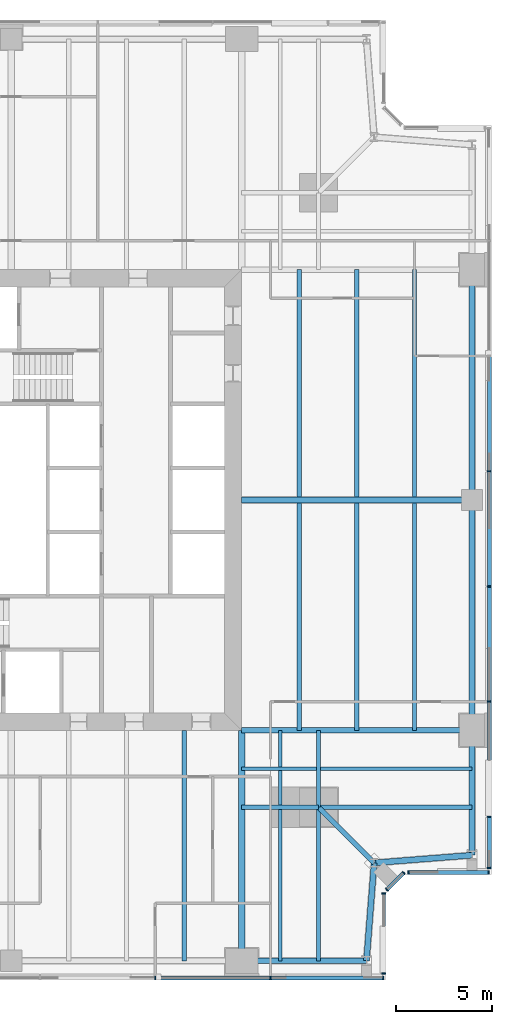
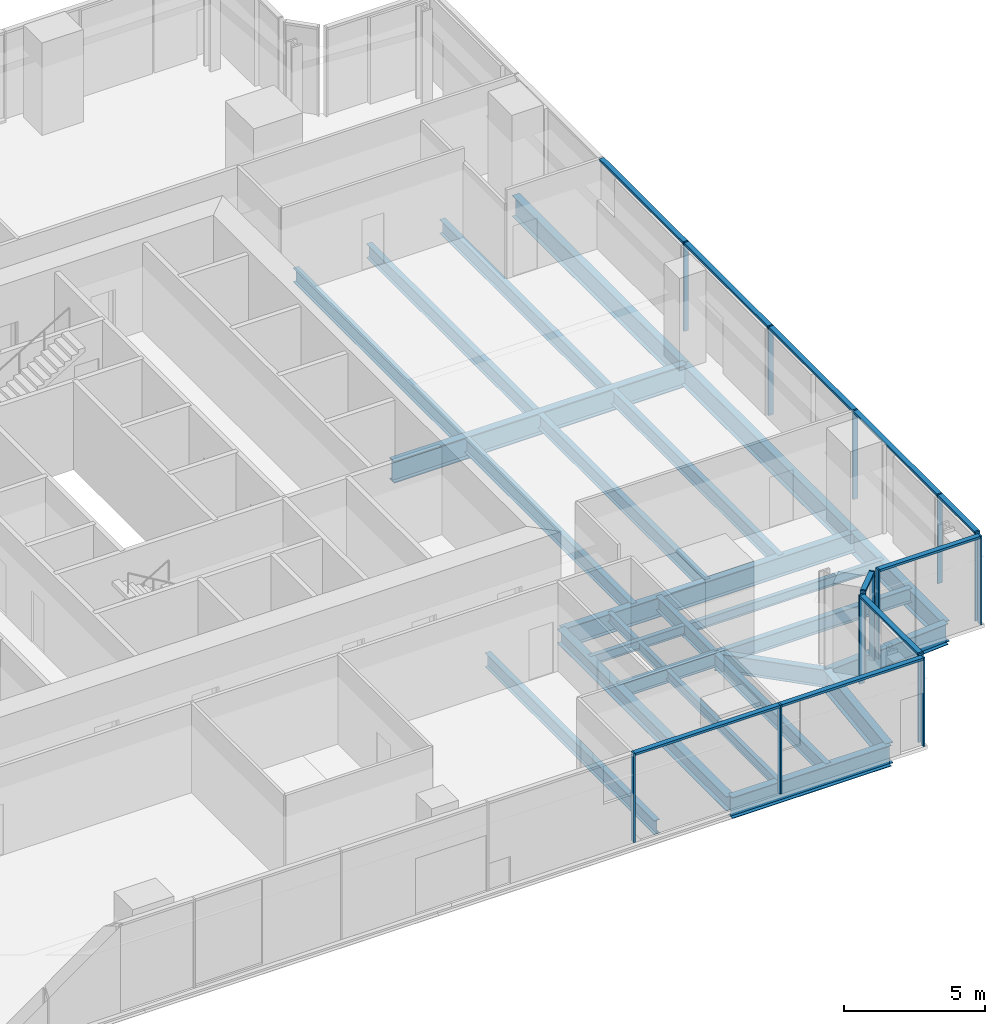
# One storey, part 5 of 15: 26 beams, 24 members, 5 elements without a shape of their own.
"""IFC4 building model written with IfcOpenShell, lengths in metres."""

from ifc_helpers import new_model, si_unit, direction, frame, origin, origin_2d, place, context, subcontext, project, spatial, rectangle, i_section, extrude, material, material_profile, profile_set, type_object, element, aggregate, save


model = new_model("IFC4")

# Units and contexts
model_context = context("Model", 3, precision=1e-05, world=origin(), true_north=direction((0.0, 1.0)))
body_context = subcontext(model_context, "Body", "Model", "MODEL_VIEW")
ifc_project = project(units=[si_unit("LENGTHUNIT", "METRE"), si_unit("AREAUNIT", "SQUARE_METRE"), si_unit("VOLUMEUNIT", "CUBIC_METRE"), si_unit("PLANEANGLEUNIT", "RADIAN"), si_unit("MASSUNIT", "GRAM", prefix="KILO")], contexts=[model_context])

# Site, building, storey
site_placement = place(None, origin())
site = spatial("IfcSite", under=ifc_project, at=site_placement, CompositionType="ELEMENT")
building_placement = place(site_placement, origin())
building = spatial("IfcBuilding", under=site, at=building_placement, Name="Fenwick Lantern Interchange", CompositionType="ELEMENT")
storey_placement = place(building_placement, frame((0.0, 0.0, 209.800048828125)))
storey = spatial("IfcBuildingStorey", under=building, at=storey_placement, Name="L49", CompositionType="ELEMENT", Elevation=209.800048828125)

# Beams
ifc_material_1 = material(Name="Steel ASTM A992 Grade 50", Category="steel")
ifc_material_profile_1 = material_profile(ifc_material_1, i_section(OverallWidth=0.3046875, OverallDepth=0.911865234375, WebThickness=0.015869140625, FlangeThickness=0.02392578125, at=origin_2d()), Name="W36X150")
ifc_profile_set_1 = profile_set([ifc_material_profile_1], Name="Steel ASTM A992 Grade 50")
beam_type_1 = type_object("IfcBeamType", Name="EDGE BEAM W36X150", PredefinedType="SPANDREL", material=ifc_profile_set_1)
beam_1_placement = place(storey_placement, frame((37.0, 1.0, -0.60595703125), z_axis=(1.0, 0.0, 0.0), x_axis=(0.0, 1.0, 0.0)))
element("IfcBeam", 1, at=beam_1_placement, inside=storey, type_object=beam_type_1, Name="L49/FR/S/EB4", PredefinedType="SPANDREL", context=body_context, shape_type="SweptSolid", body=[
    extrude(i_section(OverallWidth=0.3046875, OverallDepth=0.911865234375, WebThickness=0.015869140625, FlangeThickness=0.02392578125, at=origin_2d()), origin(), (0.0, 0.0, 1.0), 6.5),
])
for number, where, z_axis, x_axis, name in (
    (2, (43.5, 1.0, -0.60595703125), (0.078170784639, 0.99693998236, 0.0), (-0.99693998236, 0.078170784639, 0.0), "L49/FR/S/EBR1"),
    (3, (43.89990234375, 6.10009765625, -0.60595703125), (0.99693998236, 0.078170784639, 0.0), (-0.078170784639, 0.99693998236, 0.0), "L49/FR/S/EBR2"),
):
    element("IfcBeam", number, at=place(storey_placement, frame(where, z_axis=z_axis, x_axis=x_axis)), inside=storey, type_object=beam_type_1, Name=name, PredefinedType="SPANDREL", context=body_context, shape_type="SweptSolid", body=[
        extrude(i_section(OverallWidth=0.3046875, OverallDepth=0.911865234375, WebThickness=0.015869140625, FlangeThickness=0.02392578125, at=origin_2d()), origin(), (0.0, 0.0, 1.0), 5.11572265625),
    ])
beam_2_placement = place(storey_placement, frame((49.0, 6.5, -0.60595703125), z_axis=(0.0, 1.0, 0.0), x_axis=(-1.0, 0.0, 0.0)))
element("IfcBeam", 4, at=beam_2_placement, inside=storey, type_object=beam_type_1, Name="L49/FR/E/EB1", PredefinedType="SPANDREL", context=body_context, shape_type="SweptSolid", body=[
    extrude(i_section(OverallWidth=0.3046875, OverallDepth=0.911865234375, WebThickness=0.015869140625, FlangeThickness=0.02392578125, at=origin_2d()), origin(), (0.0, 0.0, 1.0), 6.5),
])
for number, where, z_axis, x_axis, name in (
    (5, (49.0, 13.0, -0.60595703125), (0.0, 1.0, 0.0), (-1.0, 0.0, 0.0), "L49/FR/E/EB2"),
    (6, (49.0, 25.0, -0.60595703125), (0.0, 1.0, 0.0), (-1.0, 0.0, 0.0), "L49/FR/E/EB3"),
):
    element("IfcBeam", number, at=place(storey_placement, frame(where, z_axis=z_axis, x_axis=x_axis)), inside=storey, type_object=beam_type_1, Name=name, PredefinedType="SPANDREL", context=body_context, shape_type="SweptSolid", body=[
        extrude(i_section(OverallWidth=0.3046875, OverallDepth=0.911865234375, WebThickness=0.015869140625, FlangeThickness=0.02392578125, at=origin_2d()), origin(), (0.0, 0.0, 1.0), 12.0),
    ])
ifc_material_profile_2 = material_profile(ifc_material_1, i_section(OverallWidth=0.22900390625, OverallDepth=0.612060546875, WebThickness=0.011962890625, FlangeThickness=0.01953125, at=origin_2d()), Name="W24X84")
ifc_profile_set_2 = profile_set([ifc_material_profile_2], Name="Steel ASTM A992 Grade 50")
beam_type_2 = type_object("IfcBeamType", Name="FLOOR BEAM W24X84", PredefinedType="BEAM", material=ifc_profile_set_2)
beam_3_placement = place(storey_placement, frame((34.0, 1.0, -0.4560546875), z_axis=(0.0, 1.0, 0.0), x_axis=(-1.0, 0.0, 0.0)))
element("IfcBeam", 7, at=beam_3_placement, inside=storey, type_object=beam_type_2, Name="L49/FR/S/R08", PredefinedType="BEAM", context=body_context, shape_type="SweptSolid", body=[
    extrude(i_section(OverallWidth=0.22900390625, OverallDepth=0.612060546875, WebThickness=0.011962890625, FlangeThickness=0.01953125, at=origin_2d()), origin(), (0.0, 0.0, 1.0), 12.0),
])
for number, where, z_axis, x_axis, name in (
    (8, (46.0, 13.0, -0.4560546875), (0.0, 1.0, 0.0), (-1.0, 0.0, 0.0), "L49/FR/E/B01"),
    (9, (43.0, 13.0, -0.4560546875), (0.0, 1.0, 0.0), (-1.0, 0.0, 0.0), "L49/FR/E/B02"),
    (10, (40.0, 13.0, -0.4560546875), (0.0, 1.0, 0.0), (-1.0, 0.0, 0.0), "L49/FR/E/B03"),
    (11, (46.0, 25.155029296875, -0.4560546875), (0.0, 1.0, 0.0), (-1.0, 0.0, 0.0), "L49/FR/E/B04"),
    (12, (43.0, 25.155029296875, -0.4560546875), (0.0, 1.0, 0.0), (-1.0, 0.0, 0.0), "L49/FR/E/B05"),
    (13, (40.0, 25.155029296875, -0.4560546875), (0.0, 1.0, 0.0), (-1.0, 0.0, 0.0), "L49/FR/E/B06"),
):
    element("IfcBeam", number, at=place(storey_placement, frame(where, z_axis=z_axis, x_axis=x_axis)), inside=storey, type_object=beam_type_2, Name=name, PredefinedType="BEAM", context=body_context, shape_type="SweptSolid", body=[
        extrude(i_section(OverallWidth=0.22900390625, OverallDepth=0.612060546875, WebThickness=0.011962890625, FlangeThickness=0.01953125, at=origin_2d()), origin(), (0.0, 0.0, 1.0), 11.844970703125),
    ])
ifc_material_profile_3 = material_profile(ifc_material_1, i_section(OverallWidth=0.177734375, OverallDepth=0.406494140625, WebThickness=0.0078125, FlangeThickness=0.012939453125, at=origin_2d()), Name="W16X40")
ifc_profile_set_3 = profile_set([ifc_material_profile_3], Name="Steel ASTM A992 Grade 50")
beam_type_3 = type_object("IfcBeamType", Name="INFILL BEAM W16X40", PredefinedType="JOIST", material=ifc_profile_set_3)
beam_4_placement = place(storey_placement, frame((49.0, 11.0, -0.353271484375), z_axis=(-1.0, 0.0, 0.0), x_axis=(0.0, -1.0, 0.0)))
element("IfcBeam", 14, at=beam_4_placement, inside=storey, type_object=beam_type_3, Name="L49/FR/E/J1", PredefinedType="JOIST", context=body_context, shape_type="SweptSolid", body=[
    extrude(i_section(OverallWidth=0.177734375, OverallDepth=0.406494140625, WebThickness=0.0078125, FlangeThickness=0.012939453125, at=origin_2d()), origin(), (0.0, 0.0, 1.0), 7.885498046875),
])
beam_5_placement = place(storey_placement, frame((40.885498046875, 11.0, -0.353271484375), z_axis=(-1.0, 0.0, 0.0), x_axis=(0.0, -1.0, 0.0)))
element("IfcBeam", 15, at=beam_5_placement, inside=storey, type_object=beam_type_3, Name="L49/FR/E/J2", PredefinedType="JOIST", context=body_context, shape_type="SweptSolid", body=[
    extrude(i_section(OverallWidth=0.177734375, OverallDepth=0.406494140625, WebThickness=0.0078125, FlangeThickness=0.012939453125, at=origin_2d()), origin(), (0.0, 0.0, 1.0), 3.885498046875),
])
beam_6_placement = place(storey_placement, frame((39.0, 1.0, -0.353271484375), z_axis=(0.0, 1.0, 0.0), x_axis=(-1.0, 0.0, 0.0)))
element("IfcBeam", 16, at=beam_6_placement, inside=storey, type_object=beam_type_3, Name="L49/FR/E/J3", PredefinedType="JOIST", context=body_context, shape_type="SweptSolid", body=[
    extrude(i_section(OverallWidth=0.177734375, OverallDepth=0.406494140625, WebThickness=0.0078125, FlangeThickness=0.012939453125, at=origin_2d()), origin(), (0.0, 0.0, 1.0), 7.885498046875),
])
beam_7_placement = place(storey_placement, frame((39.0, 9.114501953125, -0.353271484375), z_axis=(0.0, 1.0, 0.0), x_axis=(-1.0, 0.0, 0.0)))
element("IfcBeam", 17, at=beam_7_placement, inside=storey, type_object=beam_type_3, Name="L49/FR/E/J4", PredefinedType="JOIST", context=body_context, shape_type="SweptSolid", body=[
    extrude(i_section(OverallWidth=0.177734375, OverallDepth=0.406494140625, WebThickness=0.0078125, FlangeThickness=0.012939453125, at=origin_2d()), origin(), (0.0, 0.0, 1.0), 1.796630859375),
])
beam_8_placement = place(storey_placement, frame((39.0, 11.0888671875, -0.353271484375), z_axis=(0.0, 1.0, 0.0), x_axis=(-1.0, 0.0, 0.0)))
element("IfcBeam", 18, at=beam_8_placement, inside=storey, type_object=beam_type_3, Name="L49/FR/E/J5", PredefinedType="JOIST", context=body_context, shape_type="SweptSolid", body=[
    extrude(i_section(OverallWidth=0.177734375, OverallDepth=0.406494140625, WebThickness=0.0078125, FlangeThickness=0.012939453125, at=origin_2d()), origin(), (0.0, 0.0, 1.0), 1.9111328125),
])
ifc_material_profile_4 = material_profile(ifc_material_1, i_section(OverallWidth=0.22900390625, OverallDepth=0.612060546875, WebThickness=0.011962890625, FlangeThickness=0.01953125, at=origin_2d()), Name="W24X84")
ifc_profile_set_4 = profile_set([ifc_material_profile_4], Name="Steel ASTM A992 Grade 50")
beam_type_4 = type_object("IfcBeamType", Name="MEGA COLUMN BEAM W24X84", PredefinedType="BEAM", material=ifc_profile_set_4)
for number, where, z_axis, x_axis, name in (
    (19, (41.0, 9.0, -0.4560546875), (1.0, 0.0, 0.0), (0.0, 1.0, 0.0), "L49/FR/E/MB1"),
    (20, (41.0, 9.0, -0.4560546875), (0.0, -1.0, 0.0), (1.0, 0.0, 0.0), "L49/FR/E/MB2"),
):
    element("IfcBeam", number, at=place(storey_placement, frame(where, z_axis=z_axis, x_axis=x_axis)), inside=storey, type_object=beam_type_4, Name=name, PredefinedType="BEAM", context=body_context, shape_type="SweptSolid", body=[
        extrude(i_section(OverallWidth=0.22900390625, OverallDepth=0.612060546875, WebThickness=0.011962890625, FlangeThickness=0.01953125, at=origin_2d()), origin(), (0.0, 0.0, 1.0), 8.0),
    ])
for number, where, z_axis, x_axis, name in (
    (21, (41.0, 9.0, -0.4560546875), (0.0, 1.0, 0.0), (-1.0, 0.0, 0.0), "L49/FR/E/MB3"),
    (22, (41.0, 9.0, -0.4560546875), (-1.0, 0.0, 0.0), (0.0, -1.0, 0.0), "L49/FR/E/MB4"),
):
    element("IfcBeam", number, at=place(storey_placement, frame(where, z_axis=z_axis, x_axis=x_axis)), inside=storey, type_object=beam_type_4, Name=name, PredefinedType="BEAM", context=body_context, shape_type="SweptSolid", body=[
        extrude(i_section(OverallWidth=0.22900390625, OverallDepth=0.612060546875, WebThickness=0.011962890625, FlangeThickness=0.01953125, at=origin_2d()), origin(), (0.0, 0.0, 1.0), 4.0),
    ])
ifc_material_profile_5 = material_profile(ifc_material_1, i_section(OverallWidth=0.32763671875, OverallDepth=0.622314453125, WebThickness=0.015380859375, FlangeThickness=0.0244140625, at=origin_2d()), Name="W24X131")
ifc_profile_set_5 = profile_set([ifc_material_profile_5], Name="Steel ASTM A992 Grade 50")
beam_type_5 = type_object("IfcBeamType", Name="MOMENT-CONNECTED GIRDER W24X131", PredefinedType="BEAM", material=ifc_profile_set_5)
beam_9_placement = place(storey_placement, frame((37.0, 1.0, -0.461181640625), z_axis=(0.0, 1.0, 0.0), x_axis=(-1.0, 0.0, 0.0)))
element("IfcBeam", 23, at=beam_9_placement, inside=storey, type_object=beam_type_5, Name="L49/FR/S/R09", PredefinedType="BEAM", context=body_context, shape_type="SweptSolid", body=[
    extrude(i_section(OverallWidth=0.32763671875, OverallDepth=0.622314453125, WebThickness=0.015380859375, FlangeThickness=0.0244140625, at=origin_2d()), origin(), (0.0, 0.0, 1.0), 12.0),
])
ifc_material_profile_6 = material_profile(ifc_material_1, i_section(OverallWidth=0.2919921875, OverallDepth=0.845703125, WebThickness=0.015380859375, FlangeThickness=0.0244140625, at=origin_2d()), Name="W33X141")
ifc_profile_set_6 = profile_set([ifc_material_profile_6], Name="Steel ASTM A992 Grade 50")
beam_type_6 = type_object("IfcBeamType", Name="MOMENT-CONNECTED GIRDER W33X141", PredefinedType="BEAM", material=ifc_profile_set_6)
beam_10_placement = place(storey_placement, frame((49.0, 13.0, -0.572998046875), z_axis=(-1.0, 0.0, 0.0), x_axis=(0.0, -1.0, 0.0)))
element("IfcBeam", 24, at=beam_10_placement, inside=storey, type_object=beam_type_6, Name="L49/FR/E/R01", PredefinedType="BEAM", context=body_context, shape_type="SweptSolid", body=[
    extrude(i_section(OverallWidth=0.2919921875, OverallDepth=0.845703125, WebThickness=0.015380859375, FlangeThickness=0.0244140625, at=origin_2d()), origin(), (0.0, 0.0, 1.0), 12.0),
])
ifc_material_profile_7 = material_profile(ifc_material_1, i_section(OverallWidth=0.309814453125, OverallDepth=0.949951171875, WebThickness=0.0244140625, FlangeThickness=0.0439453125, at=origin_2d()), Name="W36X256")
ifc_profile_set_7 = profile_set([ifc_material_profile_7], Name="Steel ASTM A992 Grade 50")
beam_type_7 = type_object("IfcBeamType", Name="MOMENT-CONNECTED GIRDER W36X256", PredefinedType="BEAM", material=ifc_profile_set_7)
beam_11_placement = place(storey_placement, frame((49.0, 25.0, -0.625), z_axis=(-1.0, 0.0, 0.0), x_axis=(0.0, -1.0, 0.0)))
element("IfcBeam", 25, at=beam_11_placement, inside=storey, type_object=beam_type_7, Name="L49/FR/E/R02", PredefinedType="BEAM", context=body_context, shape_type="SweptSolid", body=[
    extrude(i_section(OverallWidth=0.309814453125, OverallDepth=0.949951171875, WebThickness=0.0244140625, FlangeThickness=0.0439453125, at=origin_2d()), origin(), (0.0, 0.0, 1.0), 12.0),
])
ifc_material_profile_8 = material_profile(ifc_material_1, i_section(OverallWidth=0.2666015625, OverallDepth=0.7568359375, WebThickness=0.013916015625, FlangeThickness=0.019287109375, at=origin_2d()), Name="W30X108")
ifc_profile_set_8 = profile_set([ifc_material_profile_8], Name="Steel ASTM A992 Grade 50")
beam_type_8 = type_object("IfcBeamType", Name="NOTCH BEAM W30X108", PredefinedType="BEAM", material=ifc_profile_set_8)
beam_12_placement = place(storey_placement, frame((41.0, 9.0, -0.528564453125), z_axis=(0.707106781187, -0.707106781187, 0.0), x_axis=(0.707106781187, 0.707106781187, 0.0)))
element("IfcBeam", 26, at=beam_12_placement, inside=storey, type_object=beam_type_8, Name="L49/FR/E/TG", PredefinedType="BEAM", context=body_context, shape_type="SweptSolid", body=[
    extrude(i_section(OverallWidth=0.2666015625, OverallDepth=0.7568359375, WebThickness=0.013916015625, FlangeThickness=0.019287109375, at=origin_2d()), origin(), (0.0, 0.0, 1.0), 4.10107421875),
])

# Curtain wall, members
ifc_material_2 = material(Name="Aluminium curtain wall frame", Category="aluminium")
curtain_wall_type = type_object("IfcCurtainWallType", Name="OFFICE CURTAIN WALL", PredefinedType="USERDEFINED", material=ifc_material_2)
curtain_wall_1_placement = place(storey_placement, origin())
curtain_wall_1 = element("IfcCurtainWall", 27, at=curtain_wall_1_placement, inside=storey, type_object=curtain_wall_type, Name="Office curtain wall 01", ObjectType="OFFICE CURTAIN WALL", PredefinedType="USERDEFINED")
ifc_material_3 = material(Name="Aluminium extrusion", Category="aluminium")
ifc_material_profile_9 = material_profile(ifc_material_3, rectangle(XDim=0.199951171875, YDim=0.06494140625, at=origin_2d()), Name="OFFICE CURTAIN WALL MULLION 65 X 200")
ifc_profile_set_9 = profile_set([ifc_material_profile_9], Name="Aluminium extrusion")
member_type_1 = type_object("IfcMemberType", Name="OFFICE CURTAIN WALL MULLION 65 X 200", PredefinedType="MULLION", material=ifc_profile_set_9)
member_1_placement = place(storey_placement, frame((32.5, 0.10009765625, 0.0), z_axis=(0.0, 0.0, 1.0), x_axis=(0.0, 1.0, 0.0)))
member_1 = element("IfcMember", 28, at=member_1_placement, type_object=member_type_1, Name="L49/CW/01/M05", PredefinedType="MULLION", context=body_context, shape_type="SweptSolid", body=[
    extrude(rectangle(XDim=0.199951171875, YDim=0.06494140625, at=origin_2d()), origin(), (0.0, 0.0, 1.0), 3.849853515625),
])
member_2_placement = place(storey_placement, frame((38.5, 0.10009765625, 0.0), z_axis=(0.0, 0.0, 1.0), x_axis=(0.0, 1.0, 0.0)))
member_2 = element("IfcMember", 29, at=member_2_placement, type_object=member_type_1, Name="L49/CW/01/M06", PredefinedType="MULLION", context=body_context, shape_type="SweptSolid", body=[
    extrude(rectangle(XDim=0.199951171875, YDim=0.06494140625, at=origin_2d()), origin(), (0.0, 0.0, 1.0), 3.849853515625),
])
member_3_placement = place(storey_placement, frame((44.367431640625, 0.10009765625, 0.0), z_axis=(0.0, 0.0, 1.0), x_axis=(0.0, 1.0, 0.0)))
member_3 = element("IfcMember", 30, at=member_3_placement, type_object=member_type_1, Name="L49/CW/01/M07", PredefinedType="MULLION", context=body_context, shape_type="SweptSolid", body=[
    extrude(rectangle(XDim=0.199951171875, YDim=0.06494140625, at=origin_2d()), origin(), (0.0, 0.0, 1.0), 3.849853515625),
])

curtain_wall_2_placement = place(storey_placement, origin())
curtain_wall_2 = element("IfcCurtainWall", 31, at=curtain_wall_2_placement, inside=storey, type_object=curtain_wall_type, Name="Office curtain wall 02", ObjectType="OFFICE CURTAIN WALL", PredefinedType="USERDEFINED")
member_4_placement = place(storey_placement, frame((44.39990234375, 0.33251953125, 0.0), z_axis=(0.0, 0.0, 1.0), x_axis=(-1.0, 0.0, 0.0)))
member_4 = element("IfcMember", 32, at=member_4_placement, type_object=member_type_1, Name="L49/CW/02/M00", PredefinedType="MULLION", context=body_context, shape_type="SweptSolid", body=[
    extrude(rectangle(XDim=0.199951171875, YDim=0.06494140625, at=origin_2d()), origin(), (0.0, 0.0, 1.0), 3.849853515625),
])
member_5_placement = place(storey_placement, frame((44.39990234375, 4.509033203125, 0.0), z_axis=(0.0, 0.0, 1.0), x_axis=(-1.0, 0.0, 0.0)))
member_5 = element("IfcMember", 33, at=member_5_placement, type_object=member_type_1, Name="L49/CW/02/M01", PredefinedType="MULLION", context=body_context, shape_type="SweptSolid", body=[
    extrude(rectangle(XDim=0.199951171875, YDim=0.06494140625, at=origin_2d()), origin(), (0.0, 0.0, 1.0), 3.849853515625),
])

curtain_wall_3_placement = place(storey_placement, origin())
curtain_wall_3 = element("IfcCurtainWall", 34, at=curtain_wall_3_placement, inside=storey, type_object=curtain_wall_type, Name="Office curtain wall 03", ObjectType="OFFICE CURTAIN WALL", PredefinedType="USERDEFINED")
member_6_placement = place(storey_placement, frame((44.564453125, 4.705810546875, 0.0), z_axis=(0.0, 0.0, 1.0), x_axis=(-0.707106781187, 0.707106781187, 0.0)))
member_6 = element("IfcMember", 35, at=member_6_placement, type_object=member_type_1, Name="L49/CW/03/M00", PredefinedType="MULLION", context=body_context, shape_type="SweptSolid", body=[
    extrude(rectangle(XDim=0.199951171875, YDim=0.06494140625, at=origin_2d()), origin(), (0.0, 0.0, 1.0), 3.849853515625),
])
member_7_placement = place(storey_placement, frame((45.435546875, 5.576904296875, 0.0), z_axis=(0.0, 0.0, 1.0), x_axis=(-0.707106781187, 0.707106781187, 0.0)))
member_7 = element("IfcMember", 36, at=member_7_placement, type_object=member_type_1, Name="L49/CW/03/M01", PredefinedType="MULLION", context=body_context, shape_type="SweptSolid", body=[
    extrude(rectangle(XDim=0.199951171875, YDim=0.06494140625, at=origin_2d()), origin(), (0.0, 0.0, 1.0), 3.849853515625),
])

curtain_wall_4_placement = place(storey_placement, origin())
curtain_wall_4 = element("IfcCurtainWall", 37, at=curtain_wall_4_placement, inside=storey, type_object=curtain_wall_type, Name="Office curtain wall 04", ObjectType="OFFICE CURTAIN WALL", PredefinedType="USERDEFINED")
member_8_placement = place(storey_placement, frame((45.691162109375, 5.60009765625, 0.0), z_axis=(0.0, 0.0, 1.0), x_axis=(0.0, 1.0, 0.0)))
member_8 = element("IfcMember", 38, at=member_8_placement, type_object=member_type_1, Name="L49/CW/04/M00", PredefinedType="MULLION", context=body_context, shape_type="SweptSolid", body=[
    extrude(rectangle(XDim=0.199951171875, YDim=0.06494140625, at=origin_2d()), origin(), (0.0, 0.0, 1.0), 3.849853515625),
])
member_9_placement = place(storey_placement, frame((49.867431640625, 5.60009765625, 0.0), z_axis=(0.0, 0.0, 1.0), x_axis=(0.0, 1.0, 0.0)))
member_9 = element("IfcMember", 39, at=member_9_placement, type_object=member_type_1, Name="L49/CW/04/M01", PredefinedType="MULLION", context=body_context, shape_type="SweptSolid", body=[
    extrude(rectangle(XDim=0.199951171875, YDim=0.06494140625, at=origin_2d()), origin(), (0.0, 0.0, 1.0), 3.849853515625),
])

curtain_wall_5_placement = place(storey_placement, origin())
curtain_wall_5 = element("IfcCurtainWall", 40, at=curtain_wall_5_placement, inside=storey, type_object=curtain_wall_type, Name="Office curtain wall 05", ObjectType="OFFICE CURTAIN WALL", PredefinedType="USERDEFINED")
member_10_placement = place(storey_placement, frame((49.89990234375, 5.83251953125, 0.0), z_axis=(0.0, 0.0, 1.0), x_axis=(-1.0, 0.0, 0.0)))
member_10 = element("IfcMember", 41, at=member_10_placement, type_object=member_type_1, Name="L49/CW/05/M00", PredefinedType="MULLION", context=body_context, shape_type="SweptSolid", body=[
    extrude(rectangle(XDim=0.199951171875, YDim=0.06494140625, at=origin_2d()), origin(), (0.0, 0.0, 1.0), 3.849853515625),
])
member_11_placement = place(storey_placement, frame((49.89990234375, 8.5, 0.0), z_axis=(0.0, 0.0, 1.0), x_axis=(-1.0, 0.0, 0.0)))
member_11 = element("IfcMember", 42, at=member_11_placement, type_object=member_type_1, Name="L49/CW/05/M01", PredefinedType="MULLION", context=body_context, shape_type="SweptSolid", body=[
    extrude(rectangle(XDim=0.199951171875, YDim=0.06494140625, at=origin_2d()), origin(), (0.0, 0.0, 1.0), 3.849853515625),
])
member_12_placement = place(storey_placement, frame((49.89990234375, 14.5, 0.0), z_axis=(0.0, 0.0, 1.0), x_axis=(-1.0, 0.0, 0.0)))
member_12 = element("IfcMember", 43, at=member_12_placement, type_object=member_type_1, Name="L49/CW/05/M02", PredefinedType="MULLION", context=body_context, shape_type="SweptSolid", body=[
    extrude(rectangle(XDim=0.199951171875, YDim=0.06494140625, at=origin_2d()), origin(), (0.0, 0.0, 1.0), 3.849853515625),
])
member_13_placement = place(storey_placement, frame((49.89990234375, 20.5, 0.0), z_axis=(0.0, 0.0, 1.0), x_axis=(-1.0, 0.0, 0.0)))
member_13 = element("IfcMember", 44, at=member_13_placement, type_object=member_type_1, Name="L49/CW/05/M03", PredefinedType="MULLION", context=body_context, shape_type="SweptSolid", body=[
    extrude(rectangle(XDim=0.199951171875, YDim=0.06494140625, at=origin_2d()), origin(), (0.0, 0.0, 1.0), 3.849853515625),
])
member_14_placement = place(storey_placement, frame((49.89990234375, 26.5, 0.0), z_axis=(0.0, 0.0, 1.0), x_axis=(-1.0, 0.0, 0.0)))
member_14 = element("IfcMember", 45, at=member_14_placement, type_object=member_type_1, Name="L49/CW/05/M04", PredefinedType="MULLION", context=body_context, shape_type="SweptSolid", body=[
    extrude(rectangle(XDim=0.199951171875, YDim=0.06494140625, at=origin_2d()), origin(), (0.0, 0.0, 1.0), 3.849853515625),
])

# Member
ifc_material_profile_10 = material_profile(ifc_material_3, rectangle(XDim=0.199951171875, YDim=0.10009765625, at=origin_2d()), Name="OFFICE CURTAIN WALL TRANSOM 100 X 200")
ifc_profile_set_10 = profile_set([ifc_material_profile_10], Name="Aluminium extrusion")
member_type_2 = type_object("IfcMemberType", Name="OFFICE CURTAIN WALL TRANSOM 100 X 200", PredefinedType="MULLION", material=ifc_profile_set_10)
member_15_placement = place(storey_placement, frame((32.532470703125, 0.10009765625, 3.800048828125), z_axis=(1.0, 0.0, 0.0), x_axis=(0.0, 1.0, 0.0)))
member_15 = element("IfcMember", 46, at=member_15_placement, type_object=member_type_2, Name="L49/CW/01/T05", PredefinedType="MULLION", context=body_context, shape_type="SweptSolid", body=[
    extrude(rectangle(XDim=0.199951171875, YDim=0.10009765625, at=origin_2d()), origin(), (0.0, 0.0, 1.0), 5.93505859375),
])

member_16_placement = place(storey_placement, frame((38.532470703125, 0.10009765625, 3.800048828125), z_axis=(1.0, 0.0, 0.0), x_axis=(0.0, 1.0, 0.0)))
member_16 = element("IfcMember", 47, at=member_16_placement, type_object=member_type_2, Name="L49/CW/01/T06", PredefinedType="MULLION", context=body_context, shape_type="SweptSolid", body=[
    extrude(rectangle(XDim=0.199951171875, YDim=0.10009765625, at=origin_2d()), origin(), (0.0, 0.0, 1.0), 5.802490234375),
])

aggregate(curtain_wall_1, [member_1, member_2, member_3, member_15, member_16])

member_17_placement = place(storey_placement, frame((44.39990234375, 0.364990234375, 3.800048828125), z_axis=(0.0, 1.0, 0.0), x_axis=(-1.0, 0.0, 0.0)))
member_17 = element("IfcMember", 48, at=member_17_placement, type_object=member_type_2, Name="L49/CW/02/T00", PredefinedType="MULLION", context=body_context, shape_type="SweptSolid", body=[
    extrude(rectangle(XDim=0.199951171875, YDim=0.10009765625, at=origin_2d()), origin(), (0.0, 0.0, 1.0), 4.111328125),
])

aggregate(curtain_wall_2, [member_4, member_5, member_17])

member_18_placement = place(storey_placement, frame((44.58740234375, 4.728759765625, 3.800048828125), z_axis=(0.707106781187, 0.707106781187, 0.0), x_axis=(-0.707106781187, 0.707106781187, 0.0)))
member_18 = element("IfcMember", 49, at=member_18_placement, type_object=member_type_2, Name="L49/CW/03/T00", PredefinedType="MULLION", context=body_context, shape_type="SweptSolid", body=[
    extrude(rectangle(XDim=0.199951171875, YDim=0.10009765625, at=origin_2d()), origin(), (0.0, 0.0, 1.0), 1.1669921875),
])

aggregate(curtain_wall_3, [member_6, member_7, member_18])

member_19_placement = place(storey_placement, frame((45.7236328125, 5.60009765625, 3.800048828125), z_axis=(1.0, 0.0, 0.0), x_axis=(0.0, 1.0, 0.0)))
member_19 = element("IfcMember", 50, at=member_19_placement, type_object=member_type_2, Name="L49/CW/04/T00", PredefinedType="MULLION", context=body_context, shape_type="SweptSolid", body=[
    extrude(rectangle(XDim=0.199951171875, YDim=0.10009765625, at=origin_2d()), origin(), (0.0, 0.0, 1.0), 4.111328125),
])

aggregate(curtain_wall_4, [member_8, member_9, member_19])

member_20_placement = place(storey_placement, frame((49.89990234375, 5.864990234375, 3.800048828125), z_axis=(0.0, 1.0, 0.0), x_axis=(-1.0, 0.0, 0.0)))
member_20 = element("IfcMember", 51, at=member_20_placement, type_object=member_type_2, Name="L49/CW/05/T00", PredefinedType="MULLION", context=body_context, shape_type="SweptSolid", body=[
    extrude(rectangle(XDim=0.199951171875, YDim=0.10009765625, at=origin_2d()), origin(), (0.0, 0.0, 1.0), 2.6025390625),
])

member_21_placement = place(storey_placement, frame((49.89990234375, 8.532470703125, 3.800048828125), z_axis=(0.0, 1.0, 0.0), x_axis=(-1.0, 0.0, 0.0)))
member_21 = element("IfcMember", 52, at=member_21_placement, type_object=member_type_2, Name="L49/CW/05/T01", PredefinedType="MULLION", context=body_context, shape_type="SweptSolid", body=[
    extrude(rectangle(XDim=0.199951171875, YDim=0.10009765625, at=origin_2d()), origin(), (0.0, 0.0, 1.0), 5.93505859375),
])

member_22_placement = place(storey_placement, frame((49.89990234375, 14.532470703125, 3.800048828125), z_axis=(0.0, 1.0, 0.0), x_axis=(-1.0, 0.0, 0.0)))
member_22 = element("IfcMember", 53, at=member_22_placement, type_object=member_type_2, Name="L49/CW/05/T02", PredefinedType="MULLION", context=body_context, shape_type="SweptSolid", body=[
    extrude(rectangle(XDim=0.199951171875, YDim=0.10009765625, at=origin_2d()), origin(), (0.0, 0.0, 1.0), 5.93505859375),
])

member_23_placement = place(storey_placement, frame((49.89990234375, 20.532470703125, 3.800048828125), z_axis=(0.0, 1.0, 0.0), x_axis=(-1.0, 0.0, 0.0)))
member_23 = element("IfcMember", 54, at=member_23_placement, type_object=member_type_2, Name="L49/CW/05/T03", PredefinedType="MULLION", context=body_context, shape_type="SweptSolid", body=[
    extrude(rectangle(XDim=0.199951171875, YDim=0.10009765625, at=origin_2d()), origin(), (0.0, 0.0, 1.0), 5.93505859375),
])

member_24_placement = place(storey_placement, frame((49.89990234375, 26.532470703125, 3.800048828125), z_axis=(0.0, 1.0, 0.0), x_axis=(-1.0, 0.0, 0.0)))
member_24 = element("IfcMember", 55, at=member_24_placement, type_object=member_type_2, Name="L49/CW/05/T04", PredefinedType="MULLION", context=body_context, shape_type="SweptSolid", body=[
    extrude(rectangle(XDim=0.199951171875, YDim=0.10009765625, at=origin_2d()), origin(), (0.0, 0.0, 1.0), 5.93505859375),
])

aggregate(curtain_wall_5, [member_10, member_11, member_12, member_13, member_14, member_20, member_21, member_22, member_23, member_24])

save(model, "model.ifc")
